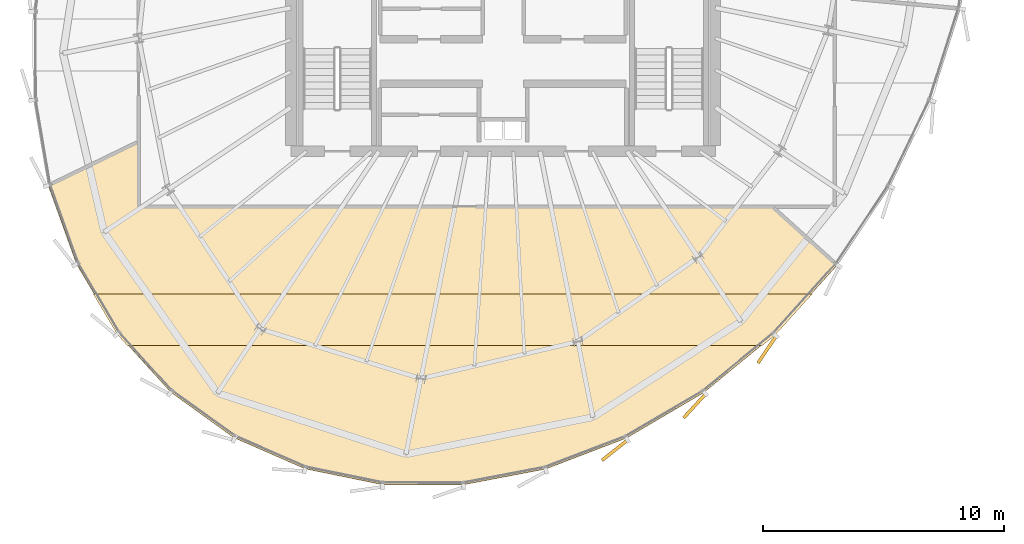
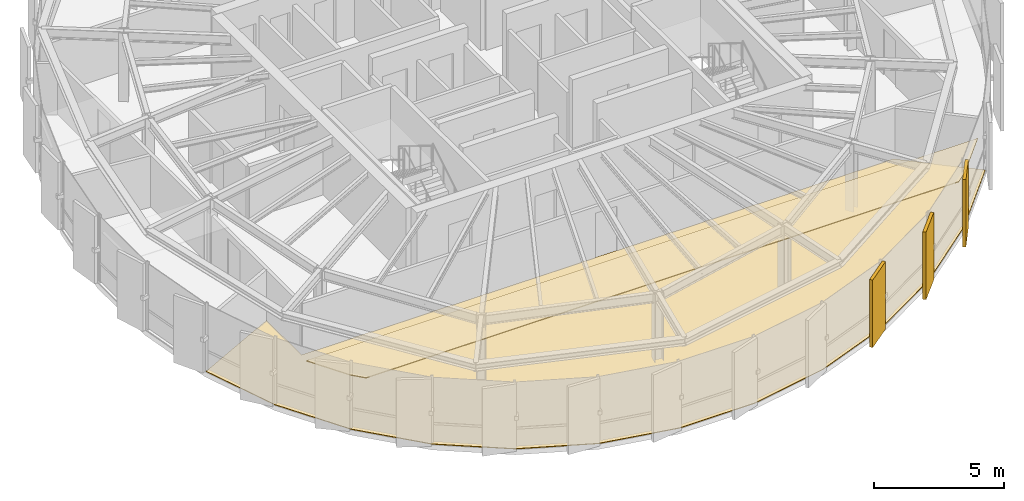
# One storey, part 29 of 31: 5 coverings.
"""IFC4 building model written with IfcOpenShell, lengths in metres."""

from ifc_helpers import new_model, si_unit, direction, frame, origin, origin_2d, place, context, subcontext, project, spatial, polyline, rectangle, outline, extrude, source, transform, mapped, material, layer, layer_set, type_object, element, save


model = new_model("IFC4")

# Units and contexts
model_context = context("Model", 3, precision=1e-05, world=origin(), true_north=direction((0.0, 1.0)))
body_context = subcontext(model_context, "Body", "Model", "MODEL_VIEW")
ifc_project = project(units=[si_unit("LENGTHUNIT", "METRE"), si_unit("AREAUNIT", "SQUARE_METRE"), si_unit("VOLUMEUNIT", "CUBIC_METRE"), si_unit("PLANEANGLEUNIT", "RADIAN"), si_unit("MASSUNIT", "GRAM", prefix="KILO"), si_unit("THERMODYNAMICTEMPERATUREUNIT", "KELVIN")], contexts=[model_context])

# Site, building, storey
site_placement = place(None, origin())
site = spatial("IfcSite", under=ifc_project, at=site_placement, CompositionType="ELEMENT")
building_placement = place(site_placement, origin())
building = spatial("IfcBuilding", under=site, at=building_placement, Name="Kethvar Cultural Tower", CompositionType="ELEMENT")
storey_placement = place(building_placement, frame((0.0, 0.0, 276.699951171875)))
storey = spatial("IfcBuildingStorey", under=building, at=storey_placement, Name="L73", CompositionType="ELEMENT", Elevation=276.699951171875)

# Coverings
ifc_material_1 = material(Name="Acoustic Mineral Fibre Ceiling")
ifc_layer_1 = layer(ifc_material_1, 0.0400390625, Name="Acoustic Mineral Fibre Ceiling")
ifc_layer_set_1 = layer_set([ifc_layer_1], Name="Acoustic Mineral Fibre Ceiling (40 mm)")
covering_type_1 = type_object("IfcCoveringType", Name="CV-ACOUSTIC-CEIL", PredefinedType="CEILING", material=ifc_layer_set_1)
covering_1_placement = place(storey_placement, frame((0.0, 0.0, 2.56005859375)))
element("IfcCovering", 1, at=covering_1_placement, inside=storey, type_object=covering_type_1, Name="L73 Room 01 Acoustic Ceiling Panel", PredefinedType="CEILING", context=body_context, shape_type="SweptSolid", body=[
    extrude(outline(polyline([(58.083740234375, 12.4765625), (57.5478515625, 12.03662109375), (31.220458984375, 12.03662109375), (30.7890625, 12.51318359375), (29.796630859375, 14.186767578125), (59.62841796875, 14.186767578125), (58.083740234375, 12.4765625)])), origin(), (0.0, 0.0, 1.0), 0.0400390625),
])
ifc_material_2 = material(Name="Honed Warm Limestone", Category="masonry")
ifc_layer_2 = layer(ifc_material_2, 0.030029296875, Name="Honed Warm Limestone", Category="masonry")
ifc_layer_set_2 = layer_set([ifc_layer_2], Name="Honed Warm Limestone (30 mm)")
covering_type_2 = type_object("IfcCoveringType", Name="CV-STONE-FLOOR", PredefinedType="FLOORING", material=ifc_layer_set_2)
covering_2_placement = place(storey_placement, origin())
element("IfcCovering", 2, at=covering_2_placement, inside=storey, type_object=covering_type_2, Name="L73 Room 01 Floor Finish", PredefinedType="FLOORING", context=body_context, shape_type="SweptSolid", body=[
    extrude(outline(polyline([(58.05615234375, 12.505615234375), (55.10986328125, 10.08740234375), (51.911376953125, 8.20751953125), (48.5576171875, 6.923095703125), (45.15087890625, 6.27294921875), (41.794189453125, 6.277099609375), (38.590087890625, 6.934814453125), (35.63525390625, 8.226318359375), (33.01953125, 10.112060546875), (30.822509765625, 12.53515625), (29.1103515625, 15.42236328125), (27.941162109375, 18.67041015625), (31.659912109375, 20.46630859375), (31.677978515625, 17.787109375), (57.95361328125, 17.787109375), (60.647705078125, 15.375), (58.05615234375, 12.505615234375)])), origin(), (0.0, 0.0, 1.0), 0.030029296875),
])
ifc_material_3 = material(Name="Extruded Architectural Terracotta", Category="masonry")
ifc_layer_3 = layer(ifc_material_3, 0.135009765625, Name="Extruded Architectural Terracotta", Category="masonry")
ifc_layer_set_3 = layer_set([ifc_layer_3], Name="Extruded Architectural Terracotta (135 mm)")
covering_type_3 = type_object("IfcCoveringType", Name="Terracotta Facade Fin FIN-03", PredefinedType="CLADDING", material=ifc_layer_set_3)
shared_shape = source(origin(), body_context, "Body", "SweptSolid", [
    extrude(rectangle(XDim=1.35009765625, YDim=0.135009765625, at=origin_2d()), origin(), (0.0, 0.0, 1.0), 3.169921875),
])
for number, where, z_axis, x_axis, name in (
    (3, (51.431884765625, 7.70068359375, 0.02001953125), (0.0, 0.0, 1.0), (-0.783259623423, -0.62169475011, 0.0), "L73 Vertical Terracotta Fin 4.6"),
    (4, (54.74267578125, 9.53515625, 0.02001953125), (0.0, 0.0, 1.0), (-0.677132874795, -0.735860767993, 0.0), "L73 Vertical Terracotta Fin 5.1"),
    (5, (57.7509765625, 11.87841796875, 0.02001953125), (0.0, 0.0, 1.0), (-0.560494462233, -0.828158171974, 0.0), "L73 Vertical Terracotta Fin 5.2"),
):
    element("IfcCovering", number, at=place(storey_placement, frame(where, z_axis=z_axis, x_axis=x_axis)), inside=storey, type_object=covering_type_3, Name=name, PredefinedType="CLADDING", context=body_context, shape_type="MappedRepresentation", body=[
        mapped(shared_shape, transform((0.0, 0.0, 0.0), scale=1.0)),
    ])

save(model, "model.ifc")
